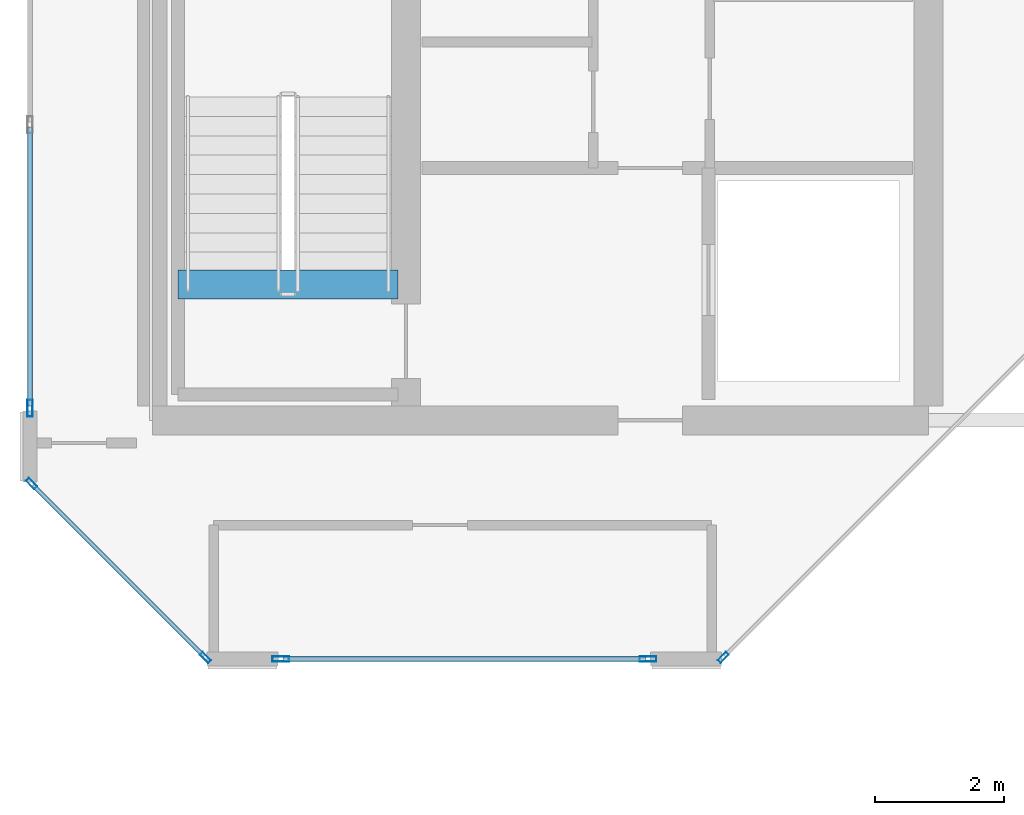
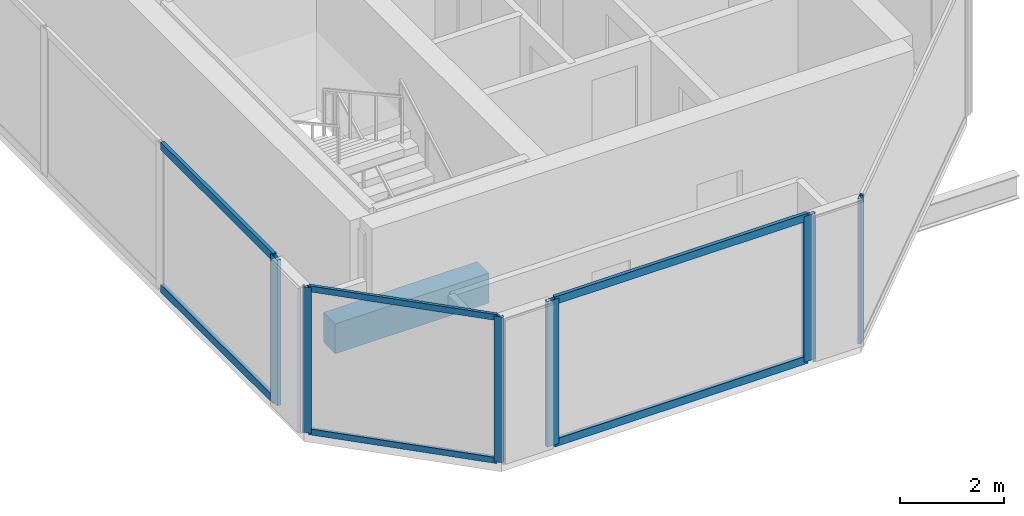
# One storey, part 2 of 28: 12 members, 1 beam, 4 elements without a shape of their own.
"""IFC4 building model written with IfcOpenShell, lengths in metres."""

from ifc_helpers import new_model, si_unit, direction, frame, origin, origin_2d, place, context, subcontext, project, spatial, rectangle, hollow_rectangle, extrude, material, layer, layer_set, material_profile, profile_set, type_object, element, aggregate, save


model = new_model("IFC4")

# Units and contexts
model_context = context("Model", 3, precision=1e-05, world=origin(), true_north=direction((0.0, 1.0)))
body_context = subcontext(model_context, "Body", "Model", "MODEL_VIEW")
ifc_project = project(units=[si_unit("LENGTHUNIT", "METRE"), si_unit("AREAUNIT", "SQUARE_METRE"), si_unit("VOLUMEUNIT", "CUBIC_METRE"), si_unit("PLANEANGLEUNIT", "RADIAN"), si_unit("MASSUNIT", "GRAM", prefix="KILO")], contexts=[model_context])

# Site, building, storey
site_placement = place(None, origin())
site = spatial("IfcSite", under=ifc_project, at=site_placement, CompositionType="ELEMENT")
building_placement = place(site_placement, origin())
building = spatial("IfcBuilding", under=site, at=building_placement, Name="Tanjung Sevakor Pilgrim Tower", CompositionType="ELEMENT")
storey_placement = place(building_placement, frame((0.0, 0.0, 246.179931640625)))
storey = spatial("IfcBuildingStorey", under=building, at=storey_placement, Name="L69", CompositionType="ELEMENT", Elevation=246.179931640625)

# Beam
ifc_material_1 = material(Name="Concrete C60/75", Category="concrete")
ifc_material_profile_1 = material_profile(ifc_material_1, rectangle(XDim=0.449951171875, YDim=0.699951171875, at=origin_2d()))
ifc_profile_set_1 = profile_set([ifc_material_profile_1], Name="Concrete C60/75")
beam_type = type_object("IfcBeamType", Name="BM-B-LN3-RC-BM_450x700", PredefinedType="LINTEL", material=ifc_profile_set_1)
beam_placement = place(storey_placement, frame((24.39990234375, 26.699951171875, -0.349853515625), z_axis=(1.0, 0.0, 0.0), x_axis=(0.0, 1.0, 0.0)))
element("IfcBeam", 1, at=beam_placement, inside=storey, type_object=beam_type, Name="L69 TS-W1 Stair Threshold Beam", PredefinedType="LINTEL", context=body_context, shape_type="SweptSolid", body=[
    extrude(rectangle(XDim=0.449951171875, YDim=0.699951171875, at=origin_2d()), origin(), (0.0, 0.0, 1.0), 3.400146484375),
])

# Curtain wall, member
ifc_material_2 = material(Name="Aluminium 6063-T6 and Low-E Glass", Category="aluminium")
ifc_layer_1 = layer(ifc_material_2, 0.179931640625)
ifc_layer_set_1 = layer_set([ifc_layer_1], Name="CW-SYS-CHAM")
curtain_wall_type_1 = type_object("IfcCurtainWallType", Name="CW-SYS-CHAM", PredefinedType="NOTDEFINED", material=ifc_layer_set_1)
curtain_wall_1_placement = place(storey_placement, origin())
curtain_wall_1 = element("IfcCurtainWall", 2, at=curtain_wall_1_placement, inside=storey, type_object=curtain_wall_type_1, Name="L69 Curtain Wall CW-CHM-L69-WEST-1", PredefinedType="NOTDEFINED")
ifc_material_3 = material(Name="Aluminium 6063-T6", Category="aluminium")
ifc_material_profile_2 = material_profile(ifc_material_3, hollow_rectangle(XDim=0.06494140625, YDim=0.179931640625, WallThickness=0.00390625, at=origin_2d()))
ifc_profile_set_2 = profile_set([ifc_material_profile_2], Name="Aluminium 6063-T6")
member_type_1 = type_object("IfcMemberType", Name="TYPE-CWM-1", PredefinedType="MULLION", material=ifc_profile_set_2)
member_1_placement = place(storey_placement, frame((32.827392578125, 20.932861328125, 0.0), z_axis=(0.0, 0.0, 1.0), x_axis=(-0.707106781187, 0.707106781187, 0.0)))
member_1 = element("IfcMember", 3, at=member_1_placement, type_object=member_type_1, Name="CW-CHM mullion 1", PredefinedType="MULLION", context=body_context, shape_type="SweptSolid", body=[
    extrude(hollow_rectangle(XDim=0.06494140625, YDim=0.179931640625, WallThickness=0.00390625, at=origin_2d()), origin(), (0.0, 0.0, 1.0), 3.41015625),
])
aggregate(curtain_wall_1, [member_1])

# Curtain wall, members
curtain_wall_2_placement = place(storey_placement, origin())
curtain_wall_2 = element("IfcCurtainWall", 4, at=curtain_wall_2_placement, inside=storey, type_object=curtain_wall_type_1, Name="L69 Curtain Wall CW-CHM-L69-WEST-7", PredefinedType="NOTDEFINED")
member_2_placement = place(storey_placement, frame((22.133056640625, 23.62255859375, 0.0), z_axis=(0.0, 0.0, 1.0), x_axis=(0.707106781187, 0.707106781187, 0.0)))
member_2 = element("IfcMember", 5, at=member_2_placement, type_object=member_type_1, Name="CW-CHM mullion 1", PredefinedType="MULLION", context=body_context, shape_type="SweptSolid", body=[
    extrude(hollow_rectangle(XDim=0.06494140625, YDim=0.179931640625, WallThickness=0.00390625, at=origin_2d()), origin(), (0.0, 0.0, 1.0), 3.41015625),
])
member_3_placement = place(storey_placement, frame((24.822509765625, 20.932861328125, 0.0), z_axis=(0.0, 0.0, 1.0), x_axis=(0.707106781187, 0.707106781187, 0.0)))
member_3 = element("IfcMember", 6, at=member_3_placement, type_object=member_type_1, Name="CW-CHM mullion 2", PredefinedType="MULLION", context=body_context, shape_type="SweptSolid", body=[
    extrude(hollow_rectangle(XDim=0.06494140625, YDim=0.179931640625, WallThickness=0.00390625, at=origin_2d()), origin(), (0.0, 0.0, 1.0), 3.41015625),
])

ifc_material_4 = material(Name="Aluminium 6063-T6 and Low-E Glass", Category="aluminium")
ifc_layer_2 = layer(ifc_material_4, 0.199951171875)
ifc_layer_set_2 = layer_set([ifc_layer_2], Name="CW-SYS-CRNW")
curtain_wall_type_2 = type_object("IfcCurtainWallType", Name="CW-SYS-CRNW", PredefinedType="NOTDEFINED", material=ifc_layer_set_2)
curtain_wall_3_placement = place(storey_placement, origin())
curtain_wall_3 = element("IfcCurtainWall", 7, at=curtain_wall_3_placement, inside=storey, type_object=curtain_wall_type_2, Name="L69 Curtain Wall CW-CRN-L69-WEST-0-1", PredefinedType="NOTDEFINED")
ifc_material_5 = material(Name="Aluminium 6063-T6", Category="aluminium")
ifc_material_profile_3 = material_profile(ifc_material_5, hollow_rectangle(XDim=0.080078125, YDim=0.260009765625, WallThickness=0.0048828125, at=origin_2d()))
ifc_profile_set_3 = profile_set([ifc_material_profile_3], Name="Aluminium 6063-T6")
member_type_2 = type_object("IfcMemberType", Name="TYPE-CWM-3", PredefinedType="MULLION", material=ifc_profile_set_3)
member_4_placement = place(storey_placement, frame((25.985595703125, 20.909912109375, 0.0), z_axis=(0.0, 0.0, 1.0), x_axis=(0.0, 1.0, 0.0)))
member_4 = element("IfcMember", 8, at=member_4_placement, type_object=member_type_2, Name="CW-CRW mullion 1", PredefinedType="MULLION", context=body_context, shape_type="SweptSolid", body=[
    extrude(hollow_rectangle(XDim=0.080078125, YDim=0.260009765625, WallThickness=0.0048828125, at=origin_2d()), origin(), (0.0, 0.0, 1.0), 3.41015625),
])
member_5_placement = place(storey_placement, frame((31.664306640625, 20.909912109375, 0.0), z_axis=(0.0, 0.0, 1.0), x_axis=(0.0, 1.0, 0.0)))
member_5 = element("IfcMember", 9, at=member_5_placement, type_object=member_type_2, Name="CW-CRW mullion 2", PredefinedType="MULLION", context=body_context, shape_type="SweptSolid", body=[
    extrude(hollow_rectangle(XDim=0.080078125, YDim=0.260009765625, WallThickness=0.0048828125, at=origin_2d()), origin(), (0.0, 0.0, 1.0), 3.41015625),
])

# Curtain wall, member
curtain_wall_4_placement = place(storey_placement, origin())
curtain_wall_4 = element("IfcCurtainWall", 10, at=curtain_wall_4_placement, inside=storey, type_object=curtain_wall_type_2, Name="L69 Curtain Wall CW-CRN-L69-WEST-6-1", PredefinedType="NOTDEFINED")
member_6_placement = place(storey_placement, frame((22.110107421875, 24.78564453125, 0.0), z_axis=(0.0, 0.0, 1.0), x_axis=(1.0, 0.0, 0.0)))
member_6 = element("IfcMember", 11, at=member_6_placement, type_object=member_type_2, Name="CW-CRW mullion 5", PredefinedType="MULLION", context=body_context, shape_type="SweptSolid", body=[
    extrude(hollow_rectangle(XDim=0.080078125, YDim=0.260009765625, WallThickness=0.0048828125, at=origin_2d()), origin(), (0.0, 0.0, 1.0), 3.41015625),
])

# Member
ifc_material_6 = material(Name="Aluminium 6063-T6", Category="aluminium")
ifc_material_profile_4 = material_profile(ifc_material_6, hollow_rectangle(XDim=0.06494140625, YDim=0.139892578125, WallThickness=0.00390625, at=origin_2d()))
ifc_profile_set_4 = profile_set([ifc_material_profile_4], Name="Aluminium 6063-T6")
member_type_3 = type_object("IfcMemberType", Name="TYPE-CWT-1", PredefinedType="USERDEFINED", material=ifc_profile_set_4)
member_7_placement = place(storey_placement, frame((22.156005859375, 23.599609375, 0.032470703125), z_axis=(0.707106781187, -0.707106781187, 0.0), x_axis=(0.707106781187, 0.707106781187, 0.0)))
member_7 = element("IfcMember", 12, at=member_7_placement, type_object=member_type_3, Name="CW-CHM transom 1.1", ObjectType="TRANSOM", PredefinedType="USERDEFINED", context=body_context, shape_type="SweptSolid", body=[
    extrude(hollow_rectangle(XDim=0.06494140625, YDim=0.139892578125, WallThickness=0.00390625, at=origin_2d()), origin(), (0.0, 0.0, 1.0), 3.738525390625),
])

member_8_placement = place(storey_placement, frame((22.156005859375, 23.599609375, 3.377685546875), z_axis=(0.707106781187, -0.707106781187, 0.0), x_axis=(0.707106781187, 0.707106781187, 0.0)))
member_8 = element("IfcMember", 13, at=member_8_placement, type_object=member_type_3, Name="CW-CHM transom 1.2", ObjectType="TRANSOM", PredefinedType="USERDEFINED", context=body_context, shape_type="SweptSolid", body=[
    extrude(hollow_rectangle(XDim=0.06494140625, YDim=0.139892578125, WallThickness=0.00390625, at=origin_2d()), origin(), (0.0, 0.0, 1.0), 3.738525390625),
])

aggregate(curtain_wall_2, [member_2, member_3, member_7, member_8])

ifc_material_7 = material(Name="Aluminium 6063-T6", Category="aluminium")
ifc_material_profile_5 = material_profile(ifc_material_7, hollow_rectangle(XDim=0.080078125, YDim=0.179931640625, WallThickness=0.0048828125, at=origin_2d()))
ifc_profile_set_5 = profile_set([ifc_material_profile_5], Name="Aluminium 6063-T6")
member_type_4 = type_object("IfcMemberType", Name="TYPE-CWT-3", PredefinedType="USERDEFINED", material=ifc_profile_set_5)
member_9_placement = place(storey_placement, frame((26.025634765625, 20.909912109375, 0.0400390625), z_axis=(1.0, 0.0, 0.0), x_axis=(0.0, 1.0, 0.0)))
member_9 = element("IfcMember", 14, at=member_9_placement, type_object=member_type_4, Name="CW-CRW transom 1.1", ObjectType="TRANSOM", PredefinedType="USERDEFINED", context=body_context, shape_type="SweptSolid", body=[
    extrude(hollow_rectangle(XDim=0.080078125, YDim=0.179931640625, WallThickness=0.0048828125, at=origin_2d()), origin(), (0.0, 0.0, 1.0), 5.598876953125),
])

member_10_placement = place(storey_placement, frame((26.025634765625, 20.909912109375, 3.3701171875), z_axis=(1.0, 0.0, 0.0), x_axis=(0.0, 1.0, 0.0)))
member_10 = element("IfcMember", 15, at=member_10_placement, type_object=member_type_4, Name="CW-CRW transom 1.2", ObjectType="TRANSOM", PredefinedType="USERDEFINED", context=body_context, shape_type="SweptSolid", body=[
    extrude(hollow_rectangle(XDim=0.080078125, YDim=0.179931640625, WallThickness=0.0048828125, at=origin_2d()), origin(), (0.0, 0.0, 1.0), 5.598876953125),
])

aggregate(curtain_wall_3, [member_4, member_5, member_9, member_10])

member_11_placement = place(storey_placement, frame((22.110107421875, 29.1328125, 0.0400390625), z_axis=(0.0, -1.0, 0.0), x_axis=(1.0, 0.0, 0.0)))
member_11 = element("IfcMember", 16, at=member_11_placement, type_object=member_type_4, Name="CW-CRW transom 4.1", ObjectType="TRANSOM", PredefinedType="USERDEFINED", context=body_context, shape_type="SweptSolid", body=[
    extrude(hollow_rectangle(XDim=0.080078125, YDim=0.179931640625, WallThickness=0.0048828125, at=origin_2d()), origin(), (0.0, 0.0, 1.0), 4.30712890625),
])

member_12_placement = place(storey_placement, frame((22.110107421875, 29.1328125, 3.3701171875), z_axis=(0.0, -1.0, 0.0), x_axis=(1.0, 0.0, 0.0)))
member_12 = element("IfcMember", 17, at=member_12_placement, type_object=member_type_4, Name="CW-CRW transom 4.2", ObjectType="TRANSOM", PredefinedType="USERDEFINED", context=body_context, shape_type="SweptSolid", body=[
    extrude(hollow_rectangle(XDim=0.080078125, YDim=0.179931640625, WallThickness=0.0048828125, at=origin_2d()), origin(), (0.0, 0.0, 1.0), 4.30712890625),
])

aggregate(curtain_wall_4, [member_6, member_11, member_12])

save(model, "model.ifc")
